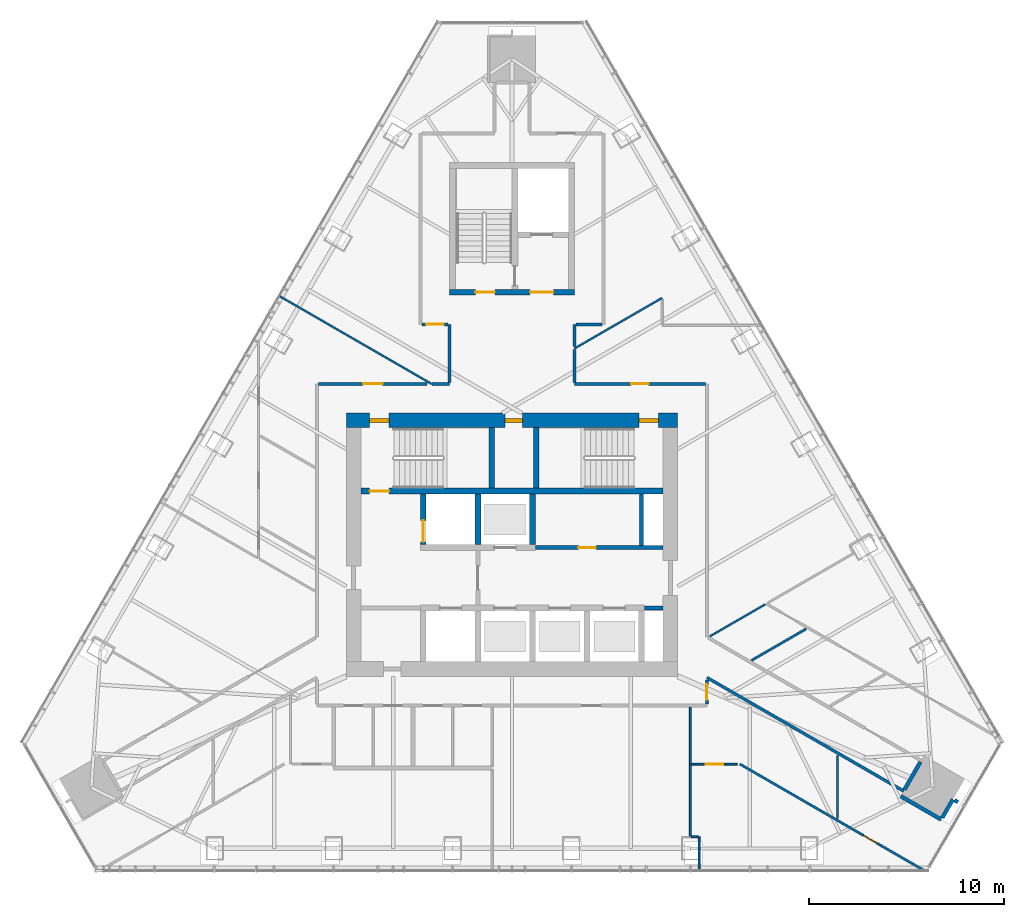
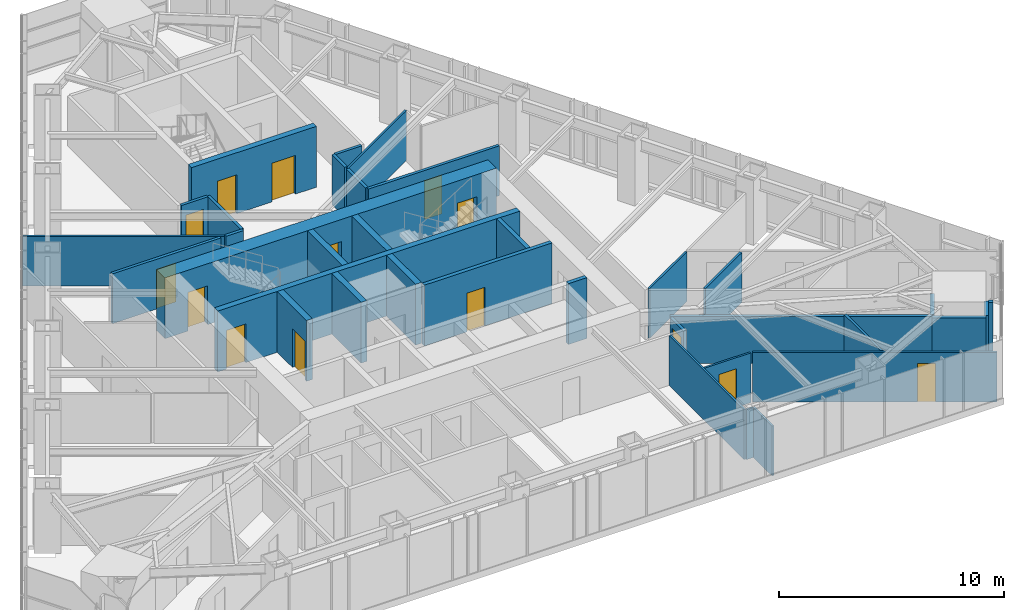
# One storey, part 15 of 18: 35 walls, 14 doors, 14 openings.
"""IFC4 building model written with IfcOpenShell, lengths in metres."""

from ifc_helpers import new_model, si_unit, direction, frame, frame_2d, origin, place, context, subcontext, project, spatial, rectangle, extrude, material, layer, layer_set, type_object, element, fill, save


model = new_model("IFC4")

# Units and contexts
model_context = context("Model", 3, precision=1e-05, world=origin(), true_north=direction((0.0, 1.0)))
body_context = subcontext(model_context, "Body", "Model", "MODEL_VIEW")
ifc_project = project(units=[si_unit("LENGTHUNIT", "METRE"), si_unit("AREAUNIT", "SQUARE_METRE"), si_unit("VOLUMEUNIT", "CUBIC_METRE"), si_unit("PLANEANGLEUNIT", "RADIAN"), si_unit("MASSUNIT", "GRAM", prefix="KILO")], contexts=[model_context])

# Site, building, storey
site_placement = place(None, origin())
site = spatial("IfcSite", under=ifc_project, at=site_placement, CompositionType="ELEMENT")
building_placement = place(site_placement, origin())
building = spatial("IfcBuilding", under=site, at=building_placement, Name="Firuza Gate Tower and Library", CompositionType="ELEMENT")
storey_placement = place(building_placement, frame((0.0, 0.0, 298.60009765625)))
storey = spatial("IfcBuildingStorey", under=building, at=storey_placement, Name="L72", CompositionType="ELEMENT", Elevation=298.60009765625)

# Wall
ifc_material_1 = material(Name="Plasterboard on steel studs", Category="steel")
ifc_layer_1 = layer(ifc_material_1, 0.199951171875)
ifc_layer_set_1 = layer_set([ifc_layer_1], Name="Core partition 200 EI 120")
wall_type_1 = type_object("IfcWallType", Name="Core partition 200 EI 120", PredefinedType="PARTITIONING", material=ifc_layer_set_1)
wall_1_placement = place(storey_placement, frame((81.800048828125, 71.75, 0.0), z_axis=(0.0, 0.0, 1.0), x_axis=(1.0, 0.0, 0.0)))
element("IfcWall", 1, at=wall_1_placement, inside=storey, type_object=wall_type_1, Name="Core partition L72 2", PredefinedType="PARTITIONING", context=body_context, shape_type="SweptSolid", body=[
    extrude(rectangle(XDim=0.949951171875, YDim=0.199951171875, at=frame_2d((0.47509765625, 0.0))), origin(), (0.0, 0.0, 1.0), 3.2998046875),
])

# Wall, opening, door
wall_2_placement = place(storey_placement, frame((76.199951171875, 74.85009765625, 0.0), z_axis=(0.0, 0.0, 1.0), x_axis=(1.0, 0.0, 0.0)))
wall_2 = element("IfcWall", 2, at=wall_2_placement, inside=storey, type_object=wall_type_1, Name="Core partition L72 3", PredefinedType="PARTITIONING", context=body_context, shape_type="SweptSolid", body=[
    extrude(rectangle(XDim=6.550048828125, YDim=0.199951171875, at=frame_2d((3.27490234375, 0.0))), origin(), (0.0, 0.0, 1.0), 3.2998046875),
])
opening_1_placement = place(wall_2_placement, frame((2.199951171875, 0.0, 0.0)))
opening_1 = element("IfcOpeningElement", 3, at=opening_1_placement, cuts=wall_2, Name="Opening L72-K18", PredefinedType="OPENING", context=body_context, shape_type="SweptSolid", body=[
    extrude(rectangle(XDim=0.89990234375, YDim=2.10009765625, at=frame_2d((0.449951171875, 1.050048828125))), frame((0.0, 0.10986328125, 0.0), z_axis=(0.0, -1.0, 0.0), x_axis=(1.0, 0.0, 0.0)), (0.0, 0.0, 1.0), 0.219970703125),
])
ifc_material_2 = material(Name="Steel", Category="steel")
door_type_1 = type_object("IfcDoorType", Name="Fire door 900x2100 FD30S", OperationType="NOTDEFINED", PredefinedType="DOOR", material=ifc_material_2)
door_1_placement = place(opening_1_placement, origin())
door_1 = element("IfcDoor", 4, at=door_1_placement, inside=storey, type_object=door_type_1, Name="Door L72-K18", OperationType="SINGLE_SWING_LEFT", OverallHeight=2.10009765625, OverallWidth=0.89990234375, PredefinedType="DOOR", context=body_context, shape_type="SweptSolid", body=[
    extrude(rectangle(XDim=0.89990234375, YDim=2.10009765625, at=frame_2d((0.449951171875, 1.050048828125))), frame((0.0, 0.02490234375, 0.0), z_axis=(0.0, -1.0, 0.0), x_axis=(1.0, 0.0, 0.0)), (0.0, 0.0, 1.0), 0.050048828125),
])
fill(opening_1, door_1)

# Wall
wall_3_placement = place(storey_placement, frame((81.64990234375, 74.949951171875, 0.0), z_axis=(0.0, 0.0, 1.0), x_axis=(0.0, 1.0, 0.0)))
element("IfcWall", 5, at=wall_3_placement, inside=storey, type_object=wall_type_1, Name="Core partition L72 5", PredefinedType="PARTITIONING", context=body_context, shape_type="SweptSolid", body=[
    extrude(rectangle(XDim=2.650146484375, YDim=0.199951171875, at=frame_2d((1.3251953125, 0.0))), origin(), (0.0, 0.0, 1.0), 3.2998046875),
])

# Wall, opening, door
ifc_material_3 = material(Name="Concrete C60/75", Category="concrete")
ifc_layer_2 = layer(ifc_material_3, 0.300048828125)
ifc_layer_set_2 = layer_set([ifc_layer_2], Name="Core wall 300 C60/75")
wall_type_2 = type_object("IfcWallType", Name="Core wall 300 C60/75", PredefinedType="SHEAR", material=ifc_layer_set_2)
wall_4_placement = place(storey_placement, frame((70.449951171875, 75.0, 0.0), z_axis=(0.0, 0.0, 1.0), x_axis=(0.0, 1.0, 0.0)))
wall_4 = element("IfcWall", 6, at=wall_4_placement, inside=storey, type_object=wall_type_2, Name="Core wall L72 8", PredefinedType="SHEAR", context=body_context, shape_type="SweptSolid", body=[
    extrude(rectangle(XDim=2.60009765625, YDim=0.300048828125, at=frame_2d((1.300048828125, 0.0))), origin(), (0.0, 0.0, 1.0), 3.2998046875),
])
opening_2_placement = place(wall_4_placement, frame((0.14990234375, 0.0, 0.0)))
opening_2 = element("IfcOpeningElement", 7, at=opening_2_placement, cuts=wall_4, Name="Opening LD-FF2-L72", PredefinedType="OPENING", context=body_context, shape_type="SweptSolid", body=[
    extrude(rectangle(XDim=1.10009765625, YDim=2.10009765625, at=frame_2d((0.550048828125, 1.050048828125))), frame((0.0, 0.16015625, 0.0), z_axis=(0.0, -1.0, 0.0), x_axis=(1.0, 0.0, 0.0)), (0.0, 0.0, 1.0), 0.320068359375),
])
ifc_material_4 = material(Name="Stainless steel", Category="steel")
door_type_2 = type_object("IfcDoorType", Name="Lift landing door 1100x2100", OperationType="DOUBLE_DOOR_SLIDING", PredefinedType="DOOR", material=ifc_material_4)
door_2_placement = place(opening_2_placement, origin())
door_2 = element("IfcDoor", 8, at=door_2_placement, inside=storey, type_object=door_type_2, Name="Landing door FF2 L72", OperationType="DOUBLE_DOOR_SLIDING", OverallHeight=2.10009765625, OverallWidth=1.10009765625, PredefinedType="DOOR", context=body_context, shape_type="SweptSolid", body=[
    extrude(rectangle(XDim=1.10009765625, YDim=2.10009765625, at=frame_2d((0.550048828125, 1.050048828125))), frame((0.0, 0.02490234375, 0.0), z_axis=(0.0, -1.0, 0.0), x_axis=(1.0, 0.0, 0.0)), (0.0, 0.0, 1.0), 0.050048828125),
])
fill(opening_2, door_2)

# Walls
for number, where, z_axis, x_axis, name in (
    (9, (73.25, 75.0, 0.0), (0.0, 0.0, 1.0), (0.0, 1.0, 0.0), "Core wall L72 10"),
    (10, (76.050048828125, 75.0, 0.0), (0.0, 0.0, 1.0), (0.0, 1.0, 0.0), "Core wall L72 12"),
):
    element("IfcWall", number, at=place(storey_placement, frame(where, z_axis=z_axis, x_axis=x_axis)), inside=storey, type_object=wall_type_2, Name=name, PredefinedType="SHEAR", context=body_context, shape_type="SweptSolid", body=[
        extrude(rectangle(XDim=2.60009765625, YDim=0.300048828125, at=frame_2d((1.300048828125, 0.0))), origin(), (0.0, 0.0, 1.0), 3.2998046875),
    ])

# Wall, opening, door
wall_5_placement = place(storey_placement, frame((67.25, 77.75, 0.0), z_axis=(0.0, 0.0, 1.0), x_axis=(1.0, 0.0, 0.0)))
wall_5 = element("IfcWall", 11, at=wall_5_placement, inside=storey, type_object=wall_type_2, Name="Core wall L72 15", PredefinedType="SHEAR", context=body_context, shape_type="SweptSolid", body=[
    extrude(rectangle(XDim=15.5, YDim=0.300048828125, at=frame_2d((7.75, 0.0))), origin(), (0.0, 0.0, 1.0), 3.2998046875),
])
opening_3_placement = place(wall_5_placement, frame((0.445068359375, 0.0, 0.0)))
opening_3 = element("IfcOpeningElement", 12, at=opening_3_placement, cuts=wall_5, Name="Opening L72-K08", PredefinedType="OPENING", context=body_context, shape_type="SweptSolid", body=[
    extrude(rectangle(XDim=1.0, YDim=2.10009765625, at=frame_2d((0.5, 1.050048828125))), frame((0.0, 0.16015625, 0.0), z_axis=(0.0, -1.0, 0.0), x_axis=(1.0, 0.0, 0.0)), (0.0, 0.0, 1.0), 0.320068359375),
])
ifc_material_5 = material(Name="Steel", Category="steel")
door_type_3 = type_object("IfcDoorType", Name="Fire door 1000x2100 FD90", OperationType="NOTDEFINED", PredefinedType="DOOR", material=ifc_material_5)
door_3_placement = place(opening_3_placement, origin())
door_3 = element("IfcDoor", 13, at=door_3_placement, inside=storey, type_object=door_type_3, Name="Door L72-K08", OperationType="SINGLE_SWING_LEFT", OverallHeight=2.10009765625, OverallWidth=1.0, PredefinedType="DOOR", context=body_context, shape_type="SweptSolid", body=[
    extrude(rectangle(XDim=1.0, YDim=2.10009765625, at=frame_2d((0.5, 1.050048828125))), frame((0.0, 0.02490234375, 0.0), z_axis=(0.0, -1.0, 0.0), x_axis=(1.0, 0.0, 0.0)), (0.0, 0.0, 1.0), 0.050048828125),
])
fill(opening_3, door_3)

# Walls
for number, where, z_axis, x_axis, name in (
    (14, (73.9599609375, 77.89990234375, 0.0), (0.0, 0.0, 1.0), (0.0, 1.0, 0.0), "Core wall L72 16"),
    (15, (76.239990234375, 77.89990234375, 0.0), (0.0, 0.0, 1.0), (0.0, 1.0, 0.0), "Core wall L72 17"),
):
    element("IfcWall", number, at=place(storey_placement, frame(where, z_axis=z_axis, x_axis=x_axis)), inside=storey, type_object=wall_type_2, Name=name, PredefinedType="SHEAR", context=body_context, shape_type="SweptSolid", body=[
        extrude(rectangle(XDim=3.10009765625, YDim=0.300048828125, at=frame_2d((1.550048828125, 0.0))), origin(), (0.0, 0.0, 1.0), 3.2998046875),
    ])

# Wall, openings, doors
wall_6_placement = place(storey_placement, frame((71.800048828125, 87.949951171875, 0.0), z_axis=(0.0, 0.0, 1.0), x_axis=(1.0, 0.0, 0.0)))
wall_6 = element("IfcWall", 16, at=wall_6_placement, inside=storey, type_object=wall_type_2, Name="Core wall L72 18", PredefinedType="SHEAR", context=body_context, shape_type="SweptSolid", body=[
    extrude(rectangle(XDim=6.39990234375, YDim=0.300048828125, at=frame_2d((3.199951171875, 0.0))), origin(), (0.0, 0.0, 1.0), 3.2998046875),
])
opening_4_placement = place(wall_6_placement, frame((1.324951171875, 0.0, 0.0)))
opening_4 = element("IfcOpeningElement", 17, at=opening_4_placement, cuts=wall_6, Name="Opening L72-K11", PredefinedType="OPENING", context=body_context, shape_type="SweptSolid", body=[
    extrude(rectangle(XDim=1.0, YDim=2.10009765625, at=frame_2d((0.5, 1.050048828125))), frame((0.0, 0.16015625, 0.0), z_axis=(0.0, -1.0, 0.0), x_axis=(1.0, 0.0, 0.0)), (0.0, 0.0, 1.0), 0.320068359375),
])
opening_5_placement = place(wall_6_placement, frame((4.125, 0.0, 0.0)))
opening_5 = element("IfcOpeningElement", 18, at=opening_5_placement, cuts=wall_6, Name="Opening L72-K13", PredefinedType="OPENING", context=body_context, shape_type="SweptSolid", body=[
    extrude(rectangle(XDim=1.199951171875, YDim=2.10009765625, at=frame_2d((0.60009765625, 1.050048828125))), frame((0.0, 0.16015625, 0.0), z_axis=(0.0, -1.0, 0.0), x_axis=(1.0, 0.0, 0.0)), (0.0, 0.0, 1.0), 0.320068359375),
])
door_4_placement = place(opening_4_placement, origin())
door_4 = element("IfcDoor", 19, at=door_4_placement, inside=storey, type_object=door_type_3, Name="Door L72-K11", OperationType="SINGLE_SWING_RIGHT", OverallHeight=2.10009765625, OverallWidth=1.0, PredefinedType="DOOR", context=body_context, shape_type="SweptSolid", body=[
    extrude(rectangle(XDim=1.0, YDim=2.10009765625, at=frame_2d((0.5, 1.050048828125))), frame((0.0, 0.02490234375, 0.0), z_axis=(0.0, -1.0, 0.0), x_axis=(1.0, 0.0, 0.0)), (0.0, 0.0, 1.0), 0.050048828125),
])
fill(opening_4, door_4)
ifc_material_6 = material(Name="Steel", Category="steel")
door_type_4 = type_object("IfcDoorType", Name="Fire door 1200x2100 FD30S", OperationType="NOTDEFINED", PredefinedType="DOOR", material=ifc_material_6)
door_5_placement = place(opening_5_placement, origin())
door_5 = element("IfcDoor", 20, at=door_5_placement, inside=storey, type_object=door_type_4, Name="Door L72-K13", OperationType="SINGLE_SWING_RIGHT", OverallHeight=2.10009765625, OverallWidth=1.199951171875, PredefinedType="DOOR", context=body_context, shape_type="SweptSolid", body=[
    extrude(rectangle(XDim=1.199951171875, YDim=2.10009765625, at=frame_2d((0.60009765625, 1.050048828125))), frame((0.0, 0.02490234375, 0.0), z_axis=(0.0, -1.0, 0.0), x_axis=(1.0, 0.0, 0.0)), (0.0, 0.0, 1.0), 0.050048828125),
])
fill(opening_5, door_5)

ifc_material_7 = material(Name="Concrete C60/75", Category="concrete")
ifc_layer_3 = layer(ifc_material_7, 0.75)
ifc_layer_set_3 = layer_set([ifc_layer_3], Name="Core wall 750 C60/75")
wall_type_3 = type_object("IfcWallType", Name="Core wall 750 C60/75", PredefinedType="SHEAR", material=ifc_layer_set_3)
wall_7_placement = place(storey_placement, frame((66.5, 81.375, 0.0), z_axis=(0.0, 0.0, 1.0), x_axis=(1.0, 0.0, 0.0)))
wall_7 = element("IfcWall", 21, at=wall_7_placement, inside=storey, type_object=wall_type_3, Name="Core wall L72 2", PredefinedType="SHEAR", context=body_context, shape_type="SweptSolid", body=[
    extrude(rectangle(XDim=17.0, YDim=0.75, at=frame_2d((8.5, 0.0))), origin(), (0.0, 0.0, 1.0), 3.2998046875),
])
opening_6_placement = place(wall_7_placement, frame((1.195068359375, 0.0, 0.0)))
opening_6 = element("IfcOpeningElement", 22, at=opening_6_placement, cuts=wall_7, Name="Opening L72-K09", PredefinedType="OPENING", context=body_context, shape_type="SweptSolid", body=[
    extrude(rectangle(XDim=1.0, YDim=2.10009765625, at=frame_2d((0.5, 1.050048828125))), frame((0.0, 0.385009765625, 0.0), z_axis=(0.0, -1.0, 0.0), x_axis=(1.0, 0.0, 0.0)), (0.0, 0.0, 1.0), 0.77001953125),
])
opening_7_placement = place(wall_7_placement, frame((15.0048828125, 0.0, 0.0)))
opening_7 = element("IfcOpeningElement", 23, at=opening_7_placement, cuts=wall_7, Name="Opening L72-K10", PredefinedType="OPENING", context=body_context, shape_type="SweptSolid", body=[
    extrude(rectangle(XDim=1.0, YDim=2.10009765625, at=frame_2d((0.5, 1.050048828125))), frame((0.0, 0.385009765625, 0.0), z_axis=(0.0, -1.0, 0.0), x_axis=(1.0, 0.0, 0.0)), (0.0, 0.0, 1.0), 0.77001953125),
])
opening_8_placement = place(wall_7_placement, frame((8.14990234375, 0.0, 0.0)))
opening_8 = element("IfcOpeningElement", 24, at=opening_8_placement, cuts=wall_7, Name="Opening L72-K19", PredefinedType="OPENING", context=body_context, shape_type="SweptSolid", body=[
    extrude(rectangle(XDim=0.89990234375, YDim=2.10009765625, at=frame_2d((0.449951171875, 1.050048828125))), frame((0.0, 0.385009765625, 0.0), z_axis=(0.0, -1.0, 0.0), x_axis=(1.0, 0.0, 0.0)), (0.0, 0.0, 1.0), 0.77001953125),
])
door_6_placement = place(opening_6_placement, origin())
door_6 = element("IfcDoor", 25, at=door_6_placement, inside=storey, type_object=door_type_3, Name="Door L72-K09", OperationType="SINGLE_SWING_RIGHT", OverallHeight=2.10009765625, OverallWidth=1.0, PredefinedType="DOOR", context=body_context, shape_type="SweptSolid", body=[
    extrude(rectangle(XDim=1.0, YDim=2.10009765625, at=frame_2d((0.5, 1.050048828125))), frame((0.0, 0.094970703125, 0.0), z_axis=(0.0, -1.0, 0.0), x_axis=(1.0, 0.0, 0.0)), (0.0, 0.0, 1.0), 0.18994140625),
])
fill(opening_6, door_6)
door_7_placement = place(opening_7_placement, origin())
door_7 = element("IfcDoor", 26, at=door_7_placement, inside=storey, type_object=door_type_3, Name="Door L72-K10", OperationType="SINGLE_SWING_LEFT", OverallHeight=2.10009765625, OverallWidth=1.0, PredefinedType="DOOR", context=body_context, shape_type="SweptSolid", body=[
    extrude(rectangle(XDim=1.0, YDim=2.10009765625, at=frame_2d((0.5, 1.050048828125))), frame((0.0, 0.094970703125, 0.0), z_axis=(0.0, -1.0, 0.0), x_axis=(1.0, 0.0, 0.0)), (0.0, 0.0, 1.0), 0.18994140625),
])
fill(opening_7, door_7)
door_8_placement = place(opening_8_placement, origin())
door_8 = element("IfcDoor", 27, at=door_8_placement, inside=storey, type_object=door_type_1, Name="Door L72-K19", OperationType="SINGLE_SWING_RIGHT", OverallHeight=2.10009765625, OverallWidth=0.89990234375, PredefinedType="DOOR", context=body_context, shape_type="SweptSolid", body=[
    extrude(rectangle(XDim=0.89990234375, YDim=2.10009765625, at=frame_2d((0.449951171875, 1.050048828125))), frame((0.0, 0.094970703125, 0.0), z_axis=(0.0, -1.0, 0.0), x_axis=(1.0, 0.0, 0.0)), (0.0, 0.0, 1.0), 0.18994140625),
])
fill(opening_8, door_8)

# Wall, opening, door
ifc_material_8 = material(Name="Gypsum board partition")
ifc_layer_4 = layer(ifc_material_8, 0.14990234375)
ifc_layer_set_4 = layer_set([ifc_layer_4], Name="Corridor wall 150 double board on steel studs")
wall_type_4 = type_object("IfcWallType", Name="Corridor wall 150 double board on steel studs", PredefinedType="PARTITIONING", material=ifc_layer_set_4)
wall_8_placement = place(storey_placement, frame((65.075439453125, 83.25, 0.0), z_axis=(0.0, 0.0, 1.0), x_axis=(1.0, 0.0, 0.0)))
wall_8 = element("IfcWall", 28, at=wall_8_placement, inside=storey, type_object=wall_type_4, Name="f:L72:w005", PredefinedType="PARTITIONING", context=body_context, shape_type="SweptSolid", body=[
    extrude(rectangle(XDim=5.5654296875, YDim=0.14990234375, at=frame_2d((2.78271484375, 0.0))), origin(), (0.0, 0.0, 1.0), 2.699951171875),
])
opening_9_placement = place(wall_8_placement, frame((2.28271484375, 0.0, 0.0)))
opening_9 = element("IfcOpeningElement", 29, at=opening_9_placement, cuts=wall_8, Name="Opening L72-08", PredefinedType="OPENING", context=body_context, shape_type="SweptSolid", body=[
    extrude(rectangle(XDim=1.0, YDim=2.10009765625, at=frame_2d((0.5, 1.050048828125))), frame((0.0, 0.0849609375, 0.0), z_axis=(0.0, -1.0, 0.0), x_axis=(1.0, 0.0, 0.0)), (0.0, 0.0, 1.0), 0.169921875),
])
ifc_material_9 = material(Name="Steel door and timber leaf", Category="steel")
door_type_5 = type_object("IfcDoorType", Name="Fire door 1000 x 2100 steel frame, timber leaf", OperationType="NOTDEFINED", PredefinedType="DOOR", material=ifc_material_9)
door_9_placement = place(opening_9_placement, origin())
door_9 = element("IfcDoor", 30, at=door_9_placement, inside=storey, type_object=door_type_5, Name="f:L72:d008", OperationType="SINGLE_SWING_RIGHT", OverallHeight=2.10009765625, OverallWidth=1.0, PredefinedType="DOOR", context=body_context, shape_type="SweptSolid", body=[
    extrude(rectangle(XDim=1.0, YDim=2.10009765625, at=frame_2d((0.5, 1.050048828125))), frame((0.0, 0.02490234375, 0.0), z_axis=(0.0, -1.0, 0.0), x_axis=(1.0, 0.0, 0.0)), (0.0, 0.0, 1.0), 0.050048828125),
])
fill(opening_9, door_9)

wall_9_placement = place(storey_placement, frame((84.923095703125, 83.25, 0.0), z_axis=(0.0, 0.0, 1.0), x_axis=(-1.0, 0.0, 0.0)))
wall_9 = element("IfcWall", 31, at=wall_9_placement, inside=storey, type_object=wall_type_4, Name="f:L72:w006", PredefinedType="PARTITIONING", context=body_context, shape_type="SweptSolid", body=[
    extrude(rectangle(XDim=6.72314453125, YDim=0.14990234375, at=frame_2d((3.361572265625, 0.0))), origin(), (0.0, 0.0, 1.0), 2.699951171875),
])
opening_10_placement = place(wall_9_placement, frame((2.911376953125, 0.0, 0.0)))
opening_10 = element("IfcOpeningElement", 32, at=opening_10_placement, cuts=wall_9, Name="Opening L72-09", PredefinedType="OPENING", context=body_context, shape_type="SweptSolid", body=[
    extrude(rectangle(XDim=0.89990234375, YDim=2.10009765625, at=frame_2d((0.449951171875, 1.050048828125))), frame((0.0, 0.0849609375, 0.0), z_axis=(0.0, -1.0, 0.0), x_axis=(1.0, 0.0, 0.0)), (0.0, 0.0, 1.0), 0.169921875),
])
ifc_material_10 = material(Name="Steel door and timber leaf", Category="steel")
door_type_6 = type_object("IfcDoorType", Name="Fire door 900 x 2100 steel frame, timber leaf", OperationType="NOTDEFINED", PredefinedType="DOOR", material=ifc_material_10)
door_10_placement = place(opening_10_placement, origin())
door_10 = element("IfcDoor", 33, at=door_10_placement, inside=storey, type_object=door_type_6, Name="f:L72:d009", OperationType="SINGLE_SWING_RIGHT", OverallHeight=2.10009765625, OverallWidth=0.89990234375, PredefinedType="DOOR", context=body_context, shape_type="SweptSolid", body=[
    extrude(rectangle(XDim=0.89990234375, YDim=2.10009765625, at=frame_2d((0.449951171875, 1.050048828125))), frame((0.0, 0.02490234375, 0.0), z_axis=(0.0, -1.0, 0.0), x_axis=(1.0, 0.0, 0.0)), (0.0, 0.0, 1.0), 0.050048828125),
])
fill(opening_10, door_10)

wall_10_placement = place(storey_placement, frame((70.376953125, 86.300048828125, 0.0), z_axis=(0.0, 0.0, 1.0), x_axis=(1.0, 0.0, 0.0)))
wall_10 = element("IfcWall", 34, at=wall_10_placement, inside=storey, type_object=wall_type_4, Name="f:L72:w008", PredefinedType="PARTITIONING", context=body_context, shape_type="SweptSolid", body=[
    extrude(rectangle(XDim=1.347900390625, YDim=0.14990234375, at=frame_2d((0.673828125, 0.0))), origin(), (0.0, 0.0, 1.0), 2.699951171875),
])
opening_11_placement = place(wall_10_placement, frame((0.223876953125, 0.0, 0.0)))
opening_11 = element("IfcOpeningElement", 35, at=opening_11_placement, cuts=wall_10, Name="Opening L72-10", PredefinedType="OPENING", context=body_context, shape_type="SweptSolid", body=[
    extrude(rectangle(XDim=0.89990234375, YDim=2.10009765625, at=frame_2d((0.449951171875, 1.050048828125))), frame((0.0, 0.0849609375, 0.0), z_axis=(0.0, -1.0, 0.0), x_axis=(1.0, 0.0, 0.0)), (0.0, 0.0, 1.0), 0.169921875),
])
door_11_placement = place(opening_11_placement, origin())
door_11 = element("IfcDoor", 36, at=door_11_placement, inside=storey, type_object=door_type_6, Name="f:L72:d010", OperationType="SINGLE_SWING_LEFT", OverallHeight=2.10009765625, OverallWidth=0.89990234375, PredefinedType="DOOR", context=body_context, shape_type="SweptSolid", body=[
    extrude(rectangle(XDim=0.89990234375, YDim=2.10009765625, at=frame_2d((0.449951171875, 1.050048828125))), frame((0.0, 0.02490234375, 0.0), z_axis=(0.0, -1.0, 0.0), x_axis=(1.0, 0.0, 0.0)), (0.0, 0.0, 1.0), 0.050048828125),
])
fill(opening_11, door_11)

# Wall
wall_11_placement = place(storey_placement, frame((78.27490234375, 86.300048828125, 0.0), z_axis=(0.0, 0.0, 1.0), x_axis=(1.0, 0.0, 0.0)))
element("IfcWall", 37, at=wall_11_placement, inside=storey, type_object=wall_type_4, Name="f:L72:w009", PredefinedType="PARTITIONING", context=body_context, shape_type="SweptSolid", body=[
    extrude(rectangle(XDim=1.349609375, YDim=0.14990234375, at=frame_2d((0.6748046875, 0.0))), origin(), (0.0, 0.0, 1.0), 2.699951171875),
])

# Wall, opening, door
wall_12_placement = place(storey_placement, frame((85.0, 68.05078125, 0.0), z_axis=(0.0, 0.0, 1.0), x_axis=(0.0, -1.0, 0.0)))
wall_12 = element("IfcWall", 38, at=wall_12_placement, inside=storey, type_object=wall_type_4, Name="f:L72:w028", PredefinedType="PARTITIONING", context=body_context, shape_type="SweptSolid", body=[
    extrude(rectangle(XDim=1.225830078125, YDim=0.14990234375, at=frame_2d((0.61279296875, 0.0))), origin(), (0.0, 0.0, 1.0), 2.546875),
])
opening_12_placement = place(wall_12_placement, frame((0.212890625, 0.0, 0.0)))
opening_12 = element("IfcOpeningElement", 39, at=opening_12_placement, cuts=wall_12, Name="Opening L72-17", PredefinedType="OPENING", context=body_context, shape_type="SweptSolid", body=[
    extrude(rectangle(XDim=0.800048828125, YDim=2.10009765625, at=frame_2d((0.39990234375, 1.050048828125))), frame((0.0, 0.0849609375, 0.0), z_axis=(0.0, -1.0, 0.0), x_axis=(1.0, 0.0, 0.0)), (0.0, 0.0, 1.0), 0.169921875),
])
ifc_material_11 = material(Name="Timber door", Category="wood")
door_type_7 = type_object("IfcDoorType", Name="Door 800 x 2100 timber leaf", OperationType="NOTDEFINED", PredefinedType="DOOR", material=ifc_material_11)
door_12_placement = place(opening_12_placement, origin())
door_12 = element("IfcDoor", 40, at=door_12_placement, inside=storey, type_object=door_type_7, Name="f:L72:d017", OperationType="SINGLE_SWING_RIGHT", OverallHeight=2.10009765625, OverallWidth=0.800048828125, PredefinedType="DOOR", context=body_context, shape_type="SweptSolid", body=[
    extrude(rectangle(XDim=0.800048828125, YDim=2.10009765625, at=frame_2d((0.39990234375, 1.050048828125))), frame((0.0, 0.02490234375, 0.0), z_axis=(0.0, -1.0, 0.0), x_axis=(1.0, 0.0, 0.0)), (0.0, 0.0, 1.0), 0.050048828125),
])
fill(opening_12, door_12)

# Walls
wall_13_placement = place(storey_placement, frame((78.199951171875, 83.324951171875, 0.0), z_axis=(0.0, 0.0, 1.0), x_axis=(0.0, 1.0, 0.0)))
element("IfcWall", 41, at=wall_13_placement, inside=storey, type_object=wall_type_4, Name="f:L72:w034", PredefinedType="PARTITIONING", context=body_context, shape_type="SweptSolid", body=[
    extrude(rectangle(XDim=1.691650390625, YDim=0.14990234375, at=frame_2d((0.845703125, 0.0))), origin(), (0.0, 0.0, 1.0), 2.699951171875),
])
wall_14_placement = place(storey_placement, frame((71.800048828125, 83.324951171875, 0.0), z_axis=(0.0, 0.0, 1.0), x_axis=(0.0, 1.0, 0.0)))
element("IfcWall", 42, at=wall_14_placement, inside=storey, type_object=wall_type_4, Name="f:L72:w041", PredefinedType="PARTITIONING", context=body_context, shape_type="SweptSolid", body=[
    extrude(rectangle(XDim=2.97509765625, YDim=0.14990234375, at=frame_2d((1.487548828125, 0.0))), origin(), (0.0, 0.0, 1.0), 2.699951171875),
])
wall_15_placement = place(storey_placement, frame((95.087890625, 62.363037109375, 0.0), z_axis=(0.0, 0.0, 1.0), x_axis=(-0.866026430432, 0.49999822179, 0.0)))
element("IfcWall", 43, at=wall_15_placement, inside=storey, type_object=wall_type_4, Name="f:L72:w059", PredefinedType="PARTITIONING", context=body_context, shape_type="SweptSolid", body=[
    extrude(rectangle(XDim=11.6484375, YDim=0.14990234375, at=frame_2d((5.82421875, 0.0))), origin(), (0.0, 0.0, 1.0), 2.546875),
])
wall_16_placement = place(storey_placement, frame((70.8955078125, 83.25, 0.0), z_axis=(0.0, 0.0, 1.0), x_axis=(1.0, 0.0, 0.0)))
element("IfcWall", 44, at=wall_16_placement, inside=storey, type_object=wall_type_4, Name="f:L72:w068", PredefinedType="PARTITIONING", context=body_context, shape_type="SweptSolid", body=[
    extrude(rectangle(XDim=0.904541015625, YDim=0.14990234375, at=frame_2d((0.4521484375, 0.0))), origin(), (0.0, 0.0, 1.0), 2.699951171875),
])
wall_17_placement = place(storey_placement, frame((78.199951171875, 85.160888671875, 0.0), z_axis=(0.0, 0.0, 1.0), x_axis=(0.0, 1.0, 0.0)))
element("IfcWall", 45, at=wall_17_placement, inside=storey, type_object=wall_type_4, Name="f:L72:w070", PredefinedType="PARTITIONING", context=body_context, shape_type="SweptSolid", body=[
    extrude(rectangle(XDim=1.13916015625, YDim=0.14990234375, at=frame_2d((0.569580078125, 0.0))), origin(), (0.0, 0.0, 1.0), 2.699951171875),
])
ifc_material_12 = material(Name="Gypsum board partition")
ifc_layer_5 = layer(ifc_material_12, 0.199951171875)
ifc_layer_set_5 = layer_set([ifc_layer_5], Name="Demising wall 200 acoustic double stud")
wall_type_5 = type_object("IfcWallType", Name="Demising wall 200 acoustic double stud", PredefinedType="PARTITIONING", material=ifc_layer_set_5)
wall_18_placement = place(storey_placement, frame((97.066650390625, 60.990234375, 0.0), z_axis=(0.0, 0.0, 1.0), x_axis=(0.499818604933, 0.866130106949, 0.0)))
element("IfcWall", 46, at=wall_18_placement, inside=storey, type_object=wall_type_5, Name="f:L72:w024", PredefinedType="PARTITIONING", context=body_context, shape_type="SweptSolid", body=[
    extrude(rectangle(XDim=1.09912109375, YDim=0.199951171875, at=frame_2d((0.549560546875, 0.0))), origin(), (0.0, 0.0, 1.0), 2.699951171875),
])
wall_19_placement = place(storey_placement, frame((95.128173828125, 62.432861328125, 0.0), z_axis=(0.0, 0.0, 1.0), x_axis=(0.500052415518, 0.865995139556, 0.0)))
element("IfcWall", 47, at=wall_19_placement, inside=storey, type_object=wall_type_5, Name="f:L72:w025", PredefinedType="PARTITIONING", context=body_context, shape_type="SweptSolid", body=[
    extrude(rectangle(XDim=1.643798828125, YDim=0.199951171875, at=frame_2d((0.82177734375, 0.0))), origin(), (0.0, 0.0, 1.0), 2.546875),
])
wall_20_placement = place(storey_placement, frame((97.876220703125, 61.79248046875, 0.0), z_axis=(0.0, 0.0, 1.0), x_axis=(-0.865900389786, 0.500216468111, 0.0)))
element("IfcWall", 48, at=wall_20_placement, inside=storey, type_object=wall_type_5, Name="f:L72:w058", PredefinedType="PARTITIONING", context=body_context, shape_type="SweptSolid", body=[
    extrude(rectangle(XDim=0.19970703125, YDim=0.199951171875, at=frame_2d((0.099853515625, 0.0))), origin(), (0.0, 0.0, 1.0), 2.699951171875),
])
wall_21_placement = place(storey_placement, frame((97.01611328125, 60.903564453125, 0.0), z_axis=(0.0, 0.0, 1.0), x_axis=(-0.866036455013, 0.499980858223, 0.0)))
element("IfcWall", 49, at=wall_21_placement, inside=storey, type_object=wall_type_5, Name="f:L72:w060", PredefinedType="PARTITIONING", context=body_context, shape_type="SweptSolid", body=[
    extrude(rectangle(XDim=2.39892578125, YDim=0.199951171875, at=frame_2d((1.199462890625, 0.0))), origin(), (0.0, 0.0, 1.0), 2.699951171875),
])
ifc_material_13 = material(Name="Gypsum board partition")
ifc_layer_6 = layer(ifc_material_13, 0.10009765625)
ifc_layer_set_6 = layer_set([ifc_layer_6], Name="Partition 100 gypsum board on steel studs")
wall_type_6 = type_object("IfcWallType", Name="Partition 100 gypsum board on steel studs", PredefinedType="PARTITIONING", material=ifc_layer_set_6)
wall_22_placement = place(storey_placement, frame((84.194091796875, 60.02490234375, 0.0), z_axis=(0.0, 0.0, 1.0), x_axis=(1.0, 0.0, 0.0)))
element("IfcWall", 50, at=wall_22_placement, inside=storey, type_object=wall_type_6, Name="f:L72:w000", PredefinedType="PARTITIONING", context=body_context, shape_type="SweptSolid", body=[
    extrude(rectangle(XDim=0.346923828125, YDim=0.10009765625, at=frame_2d((0.17333984375, 0.0))), origin(), (0.0, 0.0, 1.0), 2.699951171875),
])

# Wall, opening, door
wall_23_placement = place(storey_placement, frame((86.565673828125, 63.75, 0.0), z_axis=(0.0, 0.0, 1.0), x_axis=(-1.0, 0.0, 0.0)))
wall_23 = element("IfcWall", 51, at=wall_23_placement, inside=storey, type_object=wall_type_6, Name="f:L72:w003", PredefinedType="PARTITIONING", context=body_context, shape_type="SweptSolid", body=[
    extrude(rectangle(XDim=2.37158203125, YDim=0.10009765625, at=frame_2d((1.185791015625, 0.0))), origin(), (0.0, 0.0, 1.0), 2.699951171875),
])
opening_13_placement = place(wall_23_placement, frame((0.73583984375, 0.0, 0.0)))
opening_13 = element("IfcOpeningElement", 52, at=opening_13_placement, cuts=wall_23, Name="Opening L72-02", PredefinedType="OPENING", context=body_context, shape_type="SweptSolid", body=[
    extrude(rectangle(XDim=0.89990234375, YDim=2.10009765625, at=frame_2d((0.449951171875, 1.050048828125))), frame((0.0, 0.06005859375, 0.0), z_axis=(0.0, -1.0, 0.0), x_axis=(1.0, 0.0, 0.0)), (0.0, 0.0, 1.0), 0.1201171875),
])
ifc_material_14 = material(Name="Timber door", Category="wood")
door_type_8 = type_object("IfcDoorType", Name="Door 900 x 2100 timber leaf", OperationType="NOTDEFINED", PredefinedType="DOOR", material=ifc_material_14)
door_13_placement = place(opening_13_placement, origin())
door_13 = element("IfcDoor", 53, at=door_13_placement, inside=storey, type_object=door_type_8, Name="f:L72:d002", OperationType="SINGLE_SWING_LEFT", OverallHeight=2.10009765625, OverallWidth=0.89990234375, PredefinedType="DOOR", context=body_context, shape_type="SweptSolid", body=[
    extrude(rectangle(XDim=0.89990234375, YDim=2.10009765625, at=frame_2d((0.449951171875, 1.050048828125))), frame((0.0, 0.02490234375, 0.0), z_axis=(0.0, -1.0, 0.0), x_axis=(1.0, 0.0, 0.0)), (0.0, 0.0, 1.0), 0.050048828125),
])
fill(opening_13, door_13)

# Walls
wall_24_placement = place(storey_placement, frame((85.14501953125, 70.298828125, 0.0), z_axis=(0.0, 0.0, 1.0), x_axis=(0.866032610133, 0.499987518031, 0.0)))
element("IfcWall", 54, at=wall_24_placement, inside=storey, type_object=wall_type_6, Name="f:L72:w016", PredefinedType="PARTITIONING", context=body_context, shape_type="SweptSolid", body=[
    extrude(rectangle(XDim=3.29541015625, YDim=0.10009765625, at=frame_2d((1.647705078125, 0.0))), origin(), (0.0, 0.0, 1.0), 2.699951171875),
])
wall_25_placement = place(storey_placement, frame((78.199951171875, 85.059814453125, 0.0), z_axis=(0.0, 0.0, 1.0), x_axis=(0.866025161861, 0.500000419024, 0.0)))
element("IfcWall", 55, at=wall_25_placement, inside=storey, type_object=wall_type_6, Name="f:L72:w023", PredefinedType="PARTITIONING", context=body_context, shape_type="SweptSolid", body=[
    extrude(rectangle(XDim=5.1953125, YDim=0.10009765625, at=frame_2d((2.59765625, 0.0))), origin(), (0.0, 0.0, 1.0), 2.699951171875),
])
wall_26_placement = place(storey_placement, frame((84.593994140625, 58.32470703125, 0.0), z_axis=(0.0, 0.0, 1.0), x_axis=(0.0, 1.0, 0.0)))
element("IfcWall", 56, at=wall_26_placement, inside=storey, type_object=wall_type_6, Name="f:L72:w030", PredefinedType="PARTITIONING", context=body_context, shape_type="SweptSolid", body=[
    extrude(rectangle(XDim=1.697021484375, YDim=0.10009765625, at=frame_2d((0.8486328125, 0.0))), origin(), (0.0, 0.0, 1.0), 2.699951171875),
])
wall_27_placement = place(storey_placement, frame((84.14404296875, 60.02490234375, 0.0), z_axis=(0.0, 0.0, 1.0), x_axis=(0.0, 1.0, 0.0)))
element("IfcWall", 57, at=wall_27_placement, inside=storey, type_object=wall_type_6, Name="f:L72:w031", PredefinedType="PARTITIONING", context=body_context, shape_type="SweptSolid", body=[
    extrude(rectangle(XDim=6.650146484375, YDim=0.10009765625, at=frame_2d((3.3251953125, 0.0))), origin(), (0.0, 0.0, 1.0), 2.699951171875),
])
wall_28_placement = place(storey_placement, frame((70.87060546875, 83.25, 0.0), z_axis=(0.0, 0.0, 1.0), x_axis=(-0.866022943116, 0.500004261978, 0.0)))
element("IfcWall", 58, at=wall_28_placement, inside=storey, type_object=wall_type_6, Name="f:L72:w055", PredefinedType="PARTITIONING", context=body_context, shape_type="SweptSolid", body=[
    extrude(rectangle(XDim=8.97412109375, YDim=0.10009765625, at=frame_2d((4.487060546875, 0.0))), origin(), (0.0, 0.0, 1.0), 2.68798828125),
])
ifc_material_15 = material(Name="Gypsum board partition")
ifc_layer_7 = layer(ifc_material_15, 0.1201171875)
ifc_layer_set_7 = layer_set([ifc_layer_7], Name="Wet-area partition 120 moisture-resistant board")
wall_type_7 = type_object("IfcWallType", Name="Wet-area partition 120 moisture-resistant board", PredefinedType="PARTITIONING", material=ifc_layer_set_7)
for number, where, z_axis, x_axis, name in (
    (59, (87.29150390625, 69.0693359375, 0.0), (0.0, 0.0, 1.0), (0.86605210011, 0.499953757757, 0.0), "f:L72:w015"),
    (60, (91.697021484375, 60.966064453125, 0.0), (0.0, 0.0, 1.0), (0.0, 1.0, 0.0), "f:L72:w027"),
):
    element("IfcWall", number, at=place(storey_placement, frame(where, z_axis=z_axis, x_axis=x_axis)), inside=storey, type_object=wall_type_7, Name=name, PredefinedType="PARTITIONING", context=body_context, shape_type="SweptSolid", body=[
        extrude(rectangle(XDim=3.228271484375, YDim=0.1201171875, at=frame_2d((1.6142578125, 0.0))), origin(), (0.0, 0.0, 1.0), 2.699951171875),
    ])

# Wall, opening, door
wall_29_placement = place(storey_placement, frame((86.685546875, 63.75, 0.0), z_axis=(0.0, 0.0, 1.0), x_axis=(0.8660274679, -0.499996424829, 0.0)))
wall_29 = element("IfcWall", 61, at=wall_29_placement, inside=storey, type_object=wall_type_7, Name="f:L72:w062", PredefinedType="PARTITIONING", context=body_context, shape_type="SweptSolid", body=[
    extrude(rectangle(XDim=10.8505859375, YDim=0.1201171875, at=frame_2d((5.42529296875, 0.0))), origin(), (0.0, 0.0, 1.0), 2.699951171875),
])
opening_14_placement = place(wall_29_placement, frame((7.318359375, 0.0, 0.0)))
opening_14 = element("IfcOpeningElement", 62, at=opening_14_placement, cuts=wall_29, Name="Opening L72-25", PredefinedType="OPENING", context=body_context, shape_type="SweptSolid", body=[
    extrude(rectangle(XDim=0.800048828125, YDim=2.10009765625, at=frame_2d((0.39990234375, 1.050048828125))), frame((0.0, 0.070068359375, 0.0), z_axis=(0.0, -1.0, 0.0), x_axis=(1.0, 0.0, 0.0)), (0.0, 0.0, 1.0), 0.14013671875),
])
door_14_placement = place(opening_14_placement, origin())
door_14 = element("IfcDoor", 63, at=door_14_placement, inside=storey, type_object=door_type_7, Name="f:L72:d025", OperationType="SINGLE_SWING_LEFT", OverallHeight=2.10009765625, OverallWidth=0.800048828125, PredefinedType="DOOR", context=body_context, shape_type="SweptSolid", body=[
    extrude(rectangle(XDim=0.800048828125, YDim=2.10009765625, at=frame_2d((0.39990234375, 1.050048828125))), frame((0.0, 0.02490234375, 0.0), z_axis=(0.0, -1.0, 0.0), x_axis=(1.0, 0.0, 0.0)), (0.0, 0.0, 1.0), 0.050048828125),
])
fill(opening_14, door_14)

save(model, "model.ifc")
